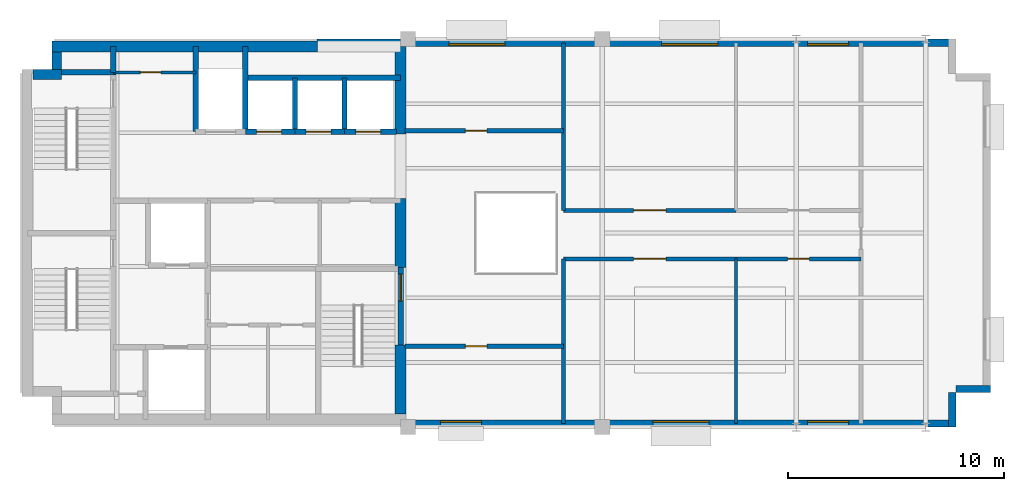
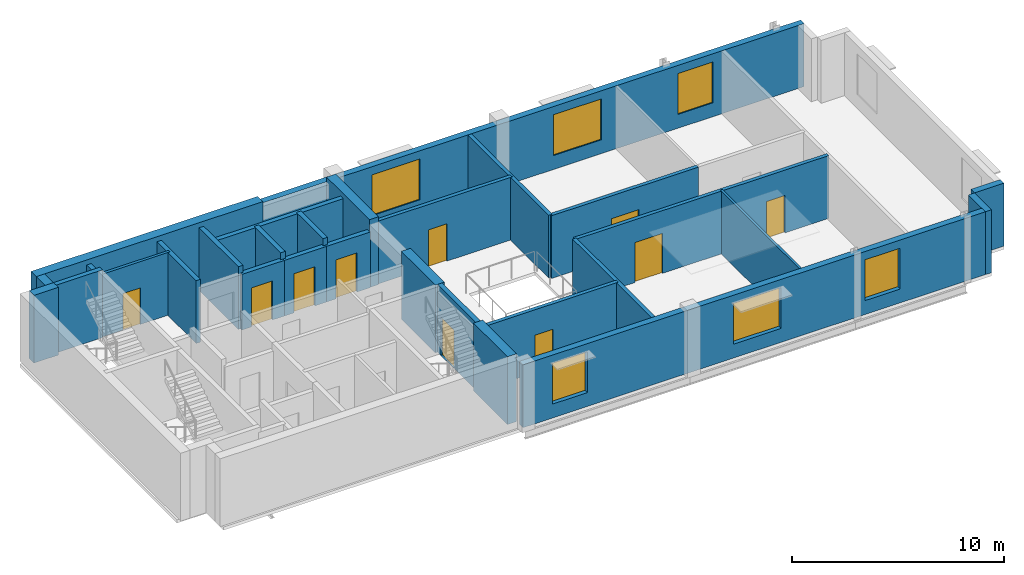
# One storey, part 3 of 5: 30 walls, 10 doors, 6 windows, 16 openings.
"""IFC4 building model written with IfcOpenShell, lengths in metres."""

from ifc_helpers import new_model, si_unit, direction, frame, frame_2d, origin, place, context, subcontext, project, spatial, rectangle, extrude, material, layer, layer_set, type_object, element, fill, save


model = new_model("IFC4")

# Units and contexts
model_context = context("Model", 3, precision=1e-05, world=origin(), true_north=direction((0.0, 1.0)))
body_context = subcontext(model_context, "Body", "Model", "MODEL_VIEW")
ifc_project = project(units=[si_unit("LENGTHUNIT", "METRE"), si_unit("AREAUNIT", "SQUARE_METRE"), si_unit("VOLUMEUNIT", "CUBIC_METRE"), si_unit("PLANEANGLEUNIT", "RADIAN"), si_unit("MASSUNIT", "GRAM", prefix="KILO")], contexts=[model_context])

# Site, building, storey
site_placement = place(None, origin())
site = spatial("IfcSite", under=ifc_project, at=site_placement, CompositionType="ELEMENT")
building_placement = place(site_placement, origin())
building = spatial("IfcBuilding", under=site, at=building_placement, Name="Mawjdan Bourse Tower", CompositionType="ELEMENT")
storey_placement = place(building_placement, frame((0.0, 0.0, 309.300048828125)))
storey = spatial("IfcBuildingStorey", under=building, at=storey_placement, Name="L76", CompositionType="ELEMENT", Elevation=309.300048828125)

# Wall, openings, windows
ifc_material_1 = material(Name="Brick Masonry Buff", Category="masonry")
ifc_layer_1 = layer(ifc_material_1, 0.340087890625)
ifc_layer_set_1 = layer_set([ifc_layer_1], Name="Brick Masonry Buff")
wall_type_1 = type_object("IfcWallType", Name="WL-BRK-SPN-340", PredefinedType="STANDARD", material=ifc_layer_set_1)
wall_1_placement = place(storey_placement, frame((23.89990234375, 3.169921875, 0.0), z_axis=(0.0, 0.0, 1.0), x_axis=(1.0, 0.0, 0.0)))
wall_1 = element("IfcWall", 1, at=wall_1_placement, inside=storey, type_object=wall_type_1, Name="L76 Exterior Brick Wall 1", PredefinedType="STANDARD", context=body_context, shape_type="SweptSolid", body=[
    extrude(rectangle(XDim=25.5, YDim=0.340087890625, at=frame_2d((12.75, 0.0))), origin(), (0.0, 0.0, 1.0), 3.619873046875),
])
opening_1_placement = place(wall_1_placement, frame((1.60009765625, 0.0, 0.800048828125)))
opening_1 = element("IfcOpeningElement", 2, at=opening_1_placement, cuts=wall_1, Name="Opening W-L76-01", PredefinedType="OPENING", context=body_context, shape_type="SweptSolid", body=[
    extrude(rectangle(XDim=1.89990234375, YDim=2.35009765625, at=frame_2d((0.949951171875, 1.175048828125))), frame((0.0, 0.18017578125, 0.0), z_axis=(0.0, -1.0, 0.0), x_axis=(1.0, 0.0, 0.0)), (0.0, 0.0, 1.0), 0.360107421875),
])
opening_2_placement = place(wall_1_placement, frame((11.449951171875, 0.0, 0.800048828125)))
opening_2 = element("IfcOpeningElement", 3, at=opening_2_placement, cuts=wall_1, Name="Opening W-L76-02", PredefinedType="OPENING", context=body_context, shape_type="SweptSolid", body=[
    extrude(rectangle(XDim=2.60009765625, YDim=2.35009765625, at=frame_2d((1.300048828125, 1.175048828125))), frame((0.0, 0.18017578125, 0.0), z_axis=(0.0, -1.0, 0.0), x_axis=(1.0, 0.0, 0.0)), (0.0, 0.0, 1.0), 0.360107421875),
])
opening_3_placement = place(wall_1_placement, frame((18.624755859375, 0.0, 0.800048828125)))
opening_3 = element("IfcOpeningElement", 4, at=opening_3_placement, cuts=wall_1, Name="Opening W-L76-07", PredefinedType="OPENING", context=body_context, shape_type="SweptSolid", body=[
    extrude(rectangle(XDim=1.89990234375, YDim=2.35009765625, at=frame_2d((0.949951171875, 1.175048828125))), frame((0.0, 0.18017578125, 0.0), z_axis=(0.0, -1.0, 0.0), x_axis=(1.0, 0.0, 0.0)), (0.0, 0.0, 1.0), 0.360107421875),
])
ifc_material_2 = material(Name="Solar-Control Clear Double Glazing", Category="glass")
window_type_1 = type_object("IfcWindowType", Name="WN-SMT-1900", PartitioningType="SINGLE_PANEL", PredefinedType="WINDOW", material=ifc_material_2)
window_1_placement = place(opening_1_placement, origin())
window_1 = element("IfcWindow", 5, at=window_1_placement, inside=storey, type_object=window_type_1, Name="L76 Deep-Set Masonry Window W-L76-01", OverallHeight=2.35009765625, OverallWidth=1.89990234375, PartitioningType="SINGLE_PANEL", PredefinedType="WINDOW", context=body_context, shape_type="SweptSolid", body=[
    extrude(rectangle(XDim=1.89990234375, YDim=2.35009765625, at=frame_2d((0.949951171875, 1.175048828125))), frame((0.0, 0.110107421875, 0.0), z_axis=(0.0, -1.0, 0.0), x_axis=(1.0, 0.0, 0.0)), (0.0, 0.0, 1.0), 0.06005859375),
])
fill(opening_1, window_1)
window_2_placement = place(opening_3_placement, origin())
window_2 = element("IfcWindow", 6, at=window_2_placement, inside=storey, type_object=window_type_1, Name="L76 Deep-Set Masonry Window W-L76-07", OverallHeight=2.35009765625, OverallWidth=1.89990234375, PartitioningType="SINGLE_PANEL", PredefinedType="WINDOW", context=body_context, shape_type="SweptSolid", body=[
    extrude(rectangle(XDim=1.89990234375, YDim=2.35009765625, at=frame_2d((0.949951171875, 1.175048828125))), frame((0.0, 0.110107421875, 0.0), z_axis=(0.0, -1.0, 0.0), x_axis=(1.0, 0.0, 0.0)), (0.0, 0.0, 1.0), 0.06005859375),
])
fill(opening_3, window_2)
window_type_2 = type_object("IfcWindowType", Name="WN-SMT-2600", PartitioningType="SINGLE_PANEL", PredefinedType="WINDOW", material=ifc_material_2)
window_3_placement = place(opening_2_placement, origin())
window_3 = element("IfcWindow", 7, at=window_3_placement, inside=storey, type_object=window_type_2, Name="L76 Deep-Set Masonry Window W-L76-02", OverallHeight=2.35009765625, OverallWidth=2.60009765625, PartitioningType="SINGLE_PANEL", PredefinedType="WINDOW", context=body_context, shape_type="SweptSolid", body=[
    extrude(rectangle(XDim=2.60009765625, YDim=2.35009765625, at=frame_2d((1.300048828125, 1.175048828125))), frame((0.0, 0.110107421875, 0.0), z_axis=(0.0, -1.0, 0.0), x_axis=(1.0, 0.0, 0.0)), (0.0, 0.0, 1.0), 0.06005859375),
])
fill(opening_2, window_3)

# Walls
for number, where, z_axis, x_axis, name in (
    (8, (49.22998046875, 3.0, 0.0), (0.0, 0.0, 1.0), (0.0, 1.0, 0.0), "L76 Exterior Brick Wall 2"),
    (9, (49.39990234375, 4.77001953125, 0.0), (0.0, 0.0, 1.0), (1.0, 0.0, 0.0), "L76 Exterior Brick Wall 3"),
):
    element("IfcWall", number, at=place(storey_placement, frame(where, z_axis=z_axis, x_axis=x_axis)), inside=storey, type_object=wall_type_1, Name=name, PredefinedType="STANDARD", context=body_context, shape_type="SweptSolid", body=[
        extrude(rectangle(XDim=1.60009765625, YDim=0.340087890625, at=frame_2d((0.800048828125, 0.0))), origin(), (0.0, 0.0, 1.0), 3.619873046875),
    ])

# Wall, openings, windows
wall_2_placement = place(storey_placement, frame((49.39990234375, 20.830078125, 0.0), z_axis=(0.0, 0.0, 1.0), x_axis=(-1.0, 0.0, 0.0)))
wall_2 = element("IfcWall", 10, at=wall_2_placement, inside=storey, type_object=wall_type_1, Name="L76 Exterior Brick Wall 7", PredefinedType="STANDARD", context=body_context, shape_type="SweptSolid", body=[
    extrude(rectangle(XDim=29.619873046875, YDim=0.340087890625, at=frame_2d((14.81005859375, 0.0))), origin(), (0.0, 0.0, 1.0), 3.619873046875),
])
opening_4_placement = place(wall_2_placement, frame((11.041748046875, 0.0, 0.800048828125)))
opening_4 = element("IfcOpeningElement", 11, at=opening_4_placement, cuts=wall_2, Name="Opening W-L76-05", PredefinedType="OPENING", context=body_context, shape_type="SweptSolid", body=[
    extrude(rectangle(XDim=2.60009765625, YDim=2.35009765625, at=frame_2d((1.300048828125, 1.175048828125))), frame((0.0, 0.18017578125, 0.0), z_axis=(0.0, -1.0, 0.0), x_axis=(1.0, 0.0, 0.0)), (0.0, 0.0, 1.0), 0.360107421875),
])
opening_5_placement = place(wall_2_placement, frame((20.9150390625, 0.0, 0.800048828125)))
opening_5 = element("IfcOpeningElement", 12, at=opening_5_placement, cuts=wall_2, Name="Opening W-L76-06", PredefinedType="OPENING", context=body_context, shape_type="SweptSolid", body=[
    extrude(rectangle(XDim=2.60009765625, YDim=2.35009765625, at=frame_2d((1.300048828125, 1.175048828125))), frame((0.0, 0.18017578125, 0.0), z_axis=(0.0, -1.0, 0.0), x_axis=(1.0, 0.0, 0.0)), (0.0, 0.0, 1.0), 0.360107421875),
])
opening_6_placement = place(wall_2_placement, frame((4.974853515625, 0.0, 0.800048828125)))
opening_6 = element("IfcOpeningElement", 13, at=opening_6_placement, cuts=wall_2, Name="Opening W-L76-08", PredefinedType="OPENING", context=body_context, shape_type="SweptSolid", body=[
    extrude(rectangle(XDim=1.89990234375, YDim=2.35009765625, at=frame_2d((0.949951171875, 1.175048828125))), frame((0.0, 0.18017578125, 0.0), z_axis=(0.0, -1.0, 0.0), x_axis=(1.0, 0.0, 0.0)), (0.0, 0.0, 1.0), 0.360107421875),
])
window_4_placement = place(opening_6_placement, origin())
window_4 = element("IfcWindow", 14, at=window_4_placement, inside=storey, type_object=window_type_1, Name="L76 Deep-Set Masonry Window W-L76-08", OverallHeight=2.35009765625, OverallWidth=1.89990234375, PartitioningType="SINGLE_PANEL", PredefinedType="WINDOW", context=body_context, shape_type="SweptSolid", body=[
    extrude(rectangle(XDim=1.89990234375, YDim=2.35009765625, at=frame_2d((0.949951171875, 1.175048828125))), frame((0.0, 0.110107421875, 0.0), z_axis=(0.0, -1.0, 0.0), x_axis=(1.0, 0.0, 0.0)), (0.0, 0.0, 1.0), 0.06005859375),
])
fill(opening_6, window_4)
window_5_placement = place(opening_4_placement, origin())
window_5 = element("IfcWindow", 15, at=window_5_placement, inside=storey, type_object=window_type_2, Name="L76 Deep-Set Masonry Window W-L76-05", OverallHeight=2.35009765625, OverallWidth=2.60009765625, PartitioningType="SINGLE_PANEL", PredefinedType="WINDOW", context=body_context, shape_type="SweptSolid", body=[
    extrude(rectangle(XDim=2.60009765625, YDim=2.35009765625, at=frame_2d((1.300048828125, 1.175048828125))), frame((0.0, 0.110107421875, 0.0), z_axis=(0.0, -1.0, 0.0), x_axis=(1.0, 0.0, 0.0)), (0.0, 0.0, 1.0), 0.06005859375),
])
fill(opening_4, window_5)
window_6_placement = place(opening_5_placement, origin())
window_6 = element("IfcWindow", 16, at=window_6_placement, inside=storey, type_object=window_type_2, Name="L76 Deep-Set Masonry Window W-L76-06", OverallHeight=2.35009765625, OverallWidth=2.60009765625, PartitioningType="SINGLE_PANEL", PredefinedType="WINDOW", context=body_context, shape_type="SweptSolid", body=[
    extrude(rectangle(XDim=2.60009765625, YDim=2.35009765625, at=frame_2d((1.300048828125, 1.175048828125))), frame((0.0, 0.110107421875, 0.0), z_axis=(0.0, -1.0, 0.0), x_axis=(1.0, 0.0, 0.0)), (0.0, 0.0, 1.0), 0.06005859375),
])
fill(opening_5, window_6)

# Wall, opening, door
ifc_material_3 = material(Name="Gypsum Fireboard Assembly")
ifc_layer_2 = layer(ifc_material_3, 0.199951171875)
ifc_layer_set_2 = layer_set([ifc_layer_2], Name="Gypsum Fireboard Assembly")
wall_type_2 = type_object("IfcWallType", Name="WL-CMP-200", PredefinedType="PARTITIONING", material=ifc_layer_set_2)
wall_3_placement = place(storey_placement, frame((23.85009765625, 6.75, 0.0), z_axis=(0.0, 0.0, 1.0), x_axis=(1.0, 0.0, 0.0)))
wall_3 = element("IfcWall", 17, at=wall_3_placement, inside=storey, type_object=wall_type_2, Name="L76 Summit Throat South Wall", PredefinedType="PARTITIONING", context=body_context, shape_type="SweptSolid", body=[
    extrude(rectangle(XDim=7.349853515625, YDim=0.199951171875, at=frame_2d((3.6748046875, 0.0))), origin(), (0.0, 0.0, 1.0), 3.60986328125),
])
opening_7_placement = place(wall_3_placement, frame((2.800048828125, 0.0, 0.0)))
opening_7 = element("IfcOpeningElement", 18, at=opening_7_placement, cuts=wall_3, Name="Opening D-L76-18", PredefinedType="OPENING", context=body_context, shape_type="SweptSolid", body=[
    extrude(rectangle(XDim=1.0, YDim=2.14990234375, at=frame_2d((0.5, 1.074951171875))), frame((0.0, 0.10986328125, 0.0), z_axis=(0.0, -1.0, 0.0), x_axis=(1.0, 0.0, 0.0)), (0.0, 0.0, 1.0), 0.219970703125),
])
ifc_material_4 = material(Name="Hardwood Acoustic Leaf", Category="wood")
door_type_1 = type_object("IfcDoorType", Name="DR-OFC-1000", OperationType="NOTDEFINED", PredefinedType="DOOR", material=ifc_material_4)
door_1_placement = place(opening_7_placement, origin())
door_1 = element("IfcDoor", 19, at=door_1_placement, inside=storey, type_object=door_type_1, Name="L76 Summit Throat South Room Door D-L76-18", OperationType="SINGLE_SWING_RIGHT", OverallHeight=2.14990234375, OverallWidth=1.0, PredefinedType="DOOR", context=body_context, shape_type="SweptSolid", body=[
    extrude(rectangle(XDim=1.0, YDim=2.14990234375, at=frame_2d((0.5, 1.074951171875))), frame((0.0, 0.02490234375, 0.0), z_axis=(0.0, -1.0, 0.0), x_axis=(1.0, 0.0, 0.0)), (0.0, 0.0, 1.0), 0.050048828125),
])
fill(opening_7, door_1)

# Wall
wall_4_placement = place(storey_placement, frame((31.199951171875, 3.179931640625, 0.0), z_axis=(0.0, 0.0, 1.0), x_axis=(0.0, 1.0, 0.0)))
element("IfcWall", 20, at=wall_4_placement, inside=storey, type_object=wall_type_2, Name="L76 Summit Throat South Return", PredefinedType="PARTITIONING", context=body_context, shape_type="SweptSolid", body=[
    extrude(rectangle(XDim=7.6201171875, YDim=0.199951171875, at=frame_2d((3.81005859375, 0.0))), origin(), (0.0, 0.0, 1.0), 3.60986328125),
])

# Wall, opening, door
wall_5_placement = place(storey_placement, frame((23.85009765625, 16.75, 0.0), z_axis=(0.0, 0.0, 1.0), x_axis=(1.0, 0.0, 0.0)))
wall_5 = element("IfcWall", 21, at=wall_5_placement, inside=storey, type_object=wall_type_2, Name="L76 Summit Throat North Wall", PredefinedType="PARTITIONING", context=body_context, shape_type="SweptSolid", body=[
    extrude(rectangle(XDim=7.349853515625, YDim=0.199951171875, at=frame_2d((3.6748046875, 0.0))), origin(), (0.0, 0.0, 1.0), 3.60986328125),
])
opening_8_placement = place(wall_5_placement, frame((2.800048828125, 0.0, 0.0)))
opening_8 = element("IfcOpeningElement", 22, at=opening_8_placement, cuts=wall_5, Name="Opening D-L76-19", PredefinedType="OPENING", context=body_context, shape_type="SweptSolid", body=[
    extrude(rectangle(XDim=1.0, YDim=2.14990234375, at=frame_2d((0.5, 1.074951171875))), frame((0.0, 0.10986328125, 0.0), z_axis=(0.0, -1.0, 0.0), x_axis=(1.0, 0.0, 0.0)), (0.0, 0.0, 1.0), 0.219970703125),
])
door_2_placement = place(opening_8_placement, origin())
door_2 = element("IfcDoor", 23, at=door_2_placement, inside=storey, type_object=door_type_1, Name="L76 Summit Throat North Room Door D-L76-19", OperationType="SINGLE_SWING_LEFT", OverallHeight=2.14990234375, OverallWidth=1.0, PredefinedType="DOOR", context=body_context, shape_type="SweptSolid", body=[
    extrude(rectangle(XDim=1.0, YDim=2.14990234375, at=frame_2d((0.5, 1.074951171875))), frame((0.0, 0.02490234375, 0.0), z_axis=(0.0, -1.0, 0.0), x_axis=(1.0, 0.0, 0.0)), (0.0, 0.0, 1.0), 0.050048828125),
])
fill(opening_8, door_2)

# Wall
wall_6_placement = place(storey_placement, frame((31.199951171875, 13.050048828125, 0.0), z_axis=(0.0, 0.0, 1.0), x_axis=(0.0, 1.0, 0.0)))
element("IfcWall", 24, at=wall_6_placement, inside=storey, type_object=wall_type_2, Name="L76 Summit Throat North Return", PredefinedType="PARTITIONING", context=body_context, shape_type="SweptSolid", body=[
    extrude(rectangle(XDim=7.77001953125, YDim=0.199951171875, at=frame_2d((3.885009765625, 0.0))), origin(), (0.0, 0.0, 1.0), 3.60986328125),
])

# Wall, opening, door
wall_7_placement = place(storey_placement, frame((31.199951171875, 10.800048828125, 0.0), z_axis=(0.0, 0.0, 1.0), x_axis=(1.0, 0.0, 0.0)))
wall_7 = element("IfcWall", 25, at=wall_7_placement, inside=storey, type_object=wall_type_2, Name="L76 Bourse Grand Summit Boardroom Corridor Wall", PredefinedType="PARTITIONING", context=body_context, shape_type="SweptSolid", body=[
    extrude(rectangle(XDim=8.0, YDim=0.199951171875, at=frame_2d((4.0, 0.0))), origin(), (0.0, 0.0, 1.0), 3.60986328125),
])
opening_9_placement = place(wall_7_placement, frame((3.25, 0.0, 0.0)))
opening_9 = element("IfcOpeningElement", 26, at=opening_9_placement, cuts=wall_7, Name="Opening D-L76-20", PredefinedType="OPENING", context=body_context, shape_type="SweptSolid", body=[
    extrude(rectangle(XDim=1.5, YDim=2.300048828125, at=frame_2d((0.75, 1.14990234375))), frame((0.0, 0.10986328125, 0.0), z_axis=(0.0, -1.0, 0.0), x_axis=(1.0, 0.0, 0.0)), (0.0, 0.0, 1.0), 0.219970703125),
])
ifc_material_5 = material(Name="Acoustic Glazed Timber", Category="wood")
door_type_2 = type_object("IfcDoorType", Name="DR-CNF-1500", OperationType="DOUBLE_DOOR_SINGLE_SWING", PredefinedType="DOOR", material=ifc_material_5)
door_3_placement = place(opening_9_placement, origin())
door_3 = element("IfcDoor", 27, at=door_3_placement, inside=storey, type_object=door_type_2, Name="L76 Bourse Grand Summit Boardroom Door D-L76-20", OperationType="DOUBLE_DOOR_SINGLE_SWING", OverallHeight=2.300048828125, OverallWidth=1.5, PredefinedType="DOOR", context=body_context, shape_type="SweptSolid", body=[
    extrude(rectangle(XDim=1.5, YDim=2.300048828125, at=frame_2d((0.75, 1.14990234375))), frame((0.0, 0.02490234375, 0.0), z_axis=(0.0, -1.0, 0.0), x_axis=(1.0, 0.0, 0.0)), (0.0, 0.0, 1.0), 0.050048828125),
])
fill(opening_9, door_3)

wall_8_placement = place(storey_placement, frame((39.199951171875, 10.800048828125, 0.0), z_axis=(0.0, 0.0, 1.0), x_axis=(1.0, 0.0, 0.0)))
wall_8 = element("IfcWall", 28, at=wall_8_placement, inside=storey, type_object=wall_type_2, Name="L76 Chairman Executive Office Corridor Wall", PredefinedType="PARTITIONING", context=body_context, shape_type="SweptSolid", body=[
    extrude(rectangle(XDim=5.800048828125, YDim=0.199951171875, at=frame_2d((2.89990234375, 0.0))), origin(), (0.0, 0.0, 1.0), 3.60986328125),
])
opening_10_placement = place(wall_8_placement, frame((2.39990234375, 0.0, 0.0)))
opening_10 = element("IfcOpeningElement", 29, at=opening_10_placement, cuts=wall_8, Name="Opening D-L76-21", PredefinedType="OPENING", context=body_context, shape_type="SweptSolid", body=[
    extrude(rectangle(XDim=1.0, YDim=2.14990234375, at=frame_2d((0.5, 1.074951171875))), frame((0.0, 0.10986328125, 0.0), z_axis=(0.0, -1.0, 0.0), x_axis=(1.0, 0.0, 0.0)), (0.0, 0.0, 1.0), 0.219970703125),
])
door_4_placement = place(opening_10_placement, origin())
door_4 = element("IfcDoor", 30, at=door_4_placement, inside=storey, type_object=door_type_1, Name="L76 Chairman Executive Office Door D-L76-21", OperationType="SINGLE_SWING_RIGHT", OverallHeight=2.14990234375, OverallWidth=1.0, PredefinedType="DOOR", context=body_context, shape_type="SweptSolid", body=[
    extrude(rectangle(XDim=1.0, YDim=2.14990234375, at=frame_2d((0.5, 1.074951171875))), frame((0.0, 0.02490234375, 0.0), z_axis=(0.0, -1.0, 0.0), x_axis=(1.0, 0.0, 0.0)), (0.0, 0.0, 1.0), 0.050048828125),
])
fill(opening_10, door_4)

wall_9_placement = place(storey_placement, frame((31.199951171875, 13.050048828125, 0.0), z_axis=(0.0, 0.0, 1.0), x_axis=(1.0, 0.0, 0.0)))
wall_9 = element("IfcWall", 31, at=wall_9_placement, inside=storey, type_object=wall_type_2, Name="L76 Conference Room Corridor Wall", PredefinedType="PARTITIONING", context=body_context, shape_type="SweptSolid", body=[
    extrude(rectangle(XDim=8.0, YDim=0.199951171875, at=frame_2d((4.0, 0.0))), origin(), (0.0, 0.0, 1.0), 3.60986328125),
])
opening_11_placement = place(wall_9_placement, frame((3.25, 0.0, 0.0)))
opening_11 = element("IfcOpeningElement", 32, at=opening_11_placement, cuts=wall_9, Name="Opening D-L76-22", PredefinedType="OPENING", context=body_context, shape_type="SweptSolid", body=[
    extrude(rectangle(XDim=1.5, YDim=2.300048828125, at=frame_2d((0.75, 1.14990234375))), frame((0.0, 0.10986328125, 0.0), z_axis=(0.0, -1.0, 0.0), x_axis=(1.0, 0.0, 0.0)), (0.0, 0.0, 1.0), 0.219970703125),
])
door_5_placement = place(opening_11_placement, origin())
door_5 = element("IfcDoor", 33, at=door_5_placement, inside=storey, type_object=door_type_2, Name="L76 Conference Room Door D-L76-22", OperationType="DOUBLE_DOOR_SINGLE_SWING", OverallHeight=2.300048828125, OverallWidth=1.5, PredefinedType="DOOR", context=body_context, shape_type="SweptSolid", body=[
    extrude(rectangle(XDim=1.5, YDim=2.300048828125, at=frame_2d((0.75, 1.14990234375))), frame((0.0, 0.02490234375, 0.0), z_axis=(0.0, -1.0, 0.0), x_axis=(1.0, 0.0, 0.0)), (0.0, 0.0, 1.0), 0.050048828125),
])
fill(opening_11, door_5)

# Walls
ifc_material_6 = material(Name="Concrete C60/75", Category="concrete")
ifc_layer_3 = layer(ifc_material_6, 0.449951171875)
ifc_layer_set_3 = layer_set([ifc_layer_3], Name="Concrete C60/75")
wall_type_3 = type_object("IfcWallType", Name="WL-CORE-450", PredefinedType="SHEAR", material=ifc_layer_set_3)
wall_10_placement = place(storey_placement, frame((6.60009765625, 19.35009765625, 0.0), z_axis=(0.0, 0.0, 1.0), x_axis=(1.0, 0.0, 0.0)))
element("IfcWall", 34, at=wall_10_placement, inside=storey, type_object=wall_type_3, Name="L76 Rear Core Shear Wall NW-X", PredefinedType="SHEAR", context=body_context, shape_type="SweptSolid", body=[
    extrude(rectangle(XDim=1.324951171875, YDim=0.449951171875, at=frame_2d((0.66259765625, 0.0))), origin(), (0.0, 0.0, 1.0), 3.89990234375),
])
wall_11_placement = place(storey_placement, frame((7.699951171875, 19.574951171875, 0.0), z_axis=(0.0, 0.0, 1.0), x_axis=(0.0, 1.0, 0.0)))
element("IfcWall", 35, at=wall_11_placement, inside=storey, type_object=wall_type_3, Name="L76 Rear Core Shear Wall NW-Y", PredefinedType="SHEAR", context=body_context, shape_type="SweptSolid", body=[
    extrude(rectangle(XDim=0.824951171875, YDim=0.449951171875, at=frame_2d((0.41259765625, 0.0))), origin(), (0.0, 0.0, 1.0), 3.89990234375),
])
ifc_layer_4 = layer(ifc_material_6, 0.5)
ifc_layer_set_4 = layer_set([ifc_layer_4], Name="Concrete C60/75")
wall_type_4 = type_object("IfcWallType", Name="WL-CORE-500", PredefinedType="SHEAR", material=ifc_layer_set_4)
wall_12_placement = place(storey_placement, frame((7.47509765625, 20.64990234375, 0.0), z_axis=(0.0, 0.0, 1.0), x_axis=(1.0, 0.0, 0.0)))
element("IfcWall", 36, at=wall_12_placement, inside=storey, type_object=wall_type_4, Name="L76 Rear Core Shear Wall N", PredefinedType="SHEAR", context=body_context, shape_type="SweptSolid", body=[
    extrude(rectangle(XDim=12.324951171875, YDim=0.5, at=frame_2d((6.16259765625, 0.0))), origin(), (0.0, 0.0, 1.0), 3.89990234375),
])
wall_13_placement = place(storey_placement, frame((23.64990234375, 3.60009765625, 0.0), z_axis=(0.0, 0.0, 1.0), x_axis=(0.0, 1.0, 0.0)))
element("IfcWall", 37, at=wall_13_placement, inside=storey, type_object=wall_type_4, Name="L76 Rear Core Shear Wall E1", PredefinedType="SHEAR", context=body_context, shape_type="SweptSolid", body=[
    extrude(rectangle(XDim=3.199951171875, YDim=0.5, at=frame_2d((1.60009765625, 0.0))), origin(), (0.0, 0.0, 1.0), 3.89990234375),
])
wall_14_placement = place(storey_placement, frame((23.64990234375, 10.39990234375, 0.0), z_axis=(0.0, 0.0, 1.0), x_axis=(0.0, 1.0, 0.0)))
element("IfcWall", 38, at=wall_14_placement, inside=storey, type_object=wall_type_4, Name="L76 Rear Core Shear Wall E2", PredefinedType="SHEAR", context=body_context, shape_type="SweptSolid", body=[
    extrude(rectangle(XDim=3.2001953125, YDim=0.5, at=frame_2d((1.60009765625, 0.0))), origin(), (0.0, 0.0, 1.0), 3.89990234375),
])
wall_15_placement = place(storey_placement, frame((23.64990234375, 16.60009765625, 0.0), z_axis=(0.0, 0.0, 1.0), x_axis=(0.0, 1.0, 0.0)))
element("IfcWall", 39, at=wall_15_placement, inside=storey, type_object=wall_type_4, Name="L76 Rear Core Shear Wall E3", PredefinedType="SHEAR", context=body_context, shape_type="SweptSolid", body=[
    extrude(rectangle(XDim=4.0498046875, YDim=0.5, at=frame_2d((2.02490234375, 0.0))), origin(), (0.0, 0.0, 1.0), 3.89990234375),
])
ifc_material_7 = material(Name="Gypsum Partition")
ifc_layer_5 = layer(ifc_material_7, 0.125)
ifc_layer_set_5 = layer_set([ifc_layer_5], Name="Gypsum Partition")
wall_type_5 = type_object("IfcWallType", Name="WL-PRT-125", PredefinedType="PARTITIONING", material=ifc_layer_set_5)
wall_16_placement = place(storey_placement, frame((39.199951171875, 3.179931640625, 0.0), z_axis=(0.0, 0.0, 1.0), x_axis=(0.0, 1.0, 0.0)))
element("IfcWall", 40, at=wall_16_placement, inside=storey, type_object=wall_type_5, Name="L76 Chairman Executive Office Partition", PredefinedType="PARTITIONING", context=body_context, shape_type="SweptSolid", body=[
    extrude(rectangle(XDim=7.6201171875, YDim=0.125, at=frame_2d((3.81005859375, 0.0))), origin(), (0.0, 0.0, 1.0), 3.60986328125),
])

# Wall, opening, door
ifc_material_8 = material(Name="Gypsum Acoustic Partition")
ifc_layer_6 = layer(ifc_material_8, 0.14990234375)
ifc_layer_set_6 = layer_set([ifc_layer_6], Name="Gypsum Acoustic Partition")
wall_type_6 = type_object("IfcWallType", Name="WL-PRT-150", PredefinedType="PARTITIONING", material=ifc_layer_set_6)
wall_17_placement = place(storey_placement, frame((10.330078125, 19.449951171875, 0.0), z_axis=(0.0, 0.0, 1.0), x_axis=(1.0, 0.0, 0.0)))
wall_17 = element("IfcWall", 41, at=wall_17_placement, inside=storey, type_object=wall_type_6, Name="L76 Housekeeping South Wall", PredefinedType="PARTITIONING", context=body_context, shape_type="SweptSolid", body=[
    extrude(rectangle(XDim=3.81982421875, YDim=0.14990234375, at=frame_2d((1.909912109375, 0.0))), origin(), (0.0, 0.0, 1.0), 3.60986328125),
])
opening_12_placement = place(wall_17_placement, frame((1.25, 0.0, 0.0)))
opening_12 = element("IfcOpeningElement", 42, at=opening_12_placement, cuts=wall_17, Name="Opening D-L76-17", PredefinedType="OPENING", context=body_context, shape_type="SweptSolid", body=[
    extrude(rectangle(XDim=0.949951171875, YDim=2.10009765625, at=frame_2d((0.47509765625, 1.050048828125))), frame((0.0, 0.0849609375, 0.0), z_axis=(0.0, -1.0, 0.0), x_axis=(1.0, 0.0, 0.0)), (0.0, 0.0, 1.0), 0.169921875),
])
ifc_material_9 = material(Name="Moisture-Resistant Laminate Timber", Category="wood")
door_type_3 = type_object("IfcDoorType", Name="DR-WET-0950", OperationType="NOTDEFINED", PredefinedType="DOOR", material=ifc_material_9)
door_6_placement = place(opening_12_placement, origin())
door_6 = element("IfcDoor", 43, at=door_6_placement, inside=storey, type_object=door_type_3, Name="L76 Housekeeping Closet Door D-L76-17", OperationType="SINGLE_SWING_LEFT", OverallHeight=2.10009765625, OverallWidth=0.949951171875, PredefinedType="DOOR", context=body_context, shape_type="SweptSolid", body=[
    extrude(rectangle(XDim=0.949951171875, YDim=2.10009765625, at=frame_2d((0.47509765625, 1.050048828125))), frame((0.0, 0.02490234375, 0.0), z_axis=(0.0, -1.0, 0.0), x_axis=(1.0, 0.0, 0.0)), (0.0, 0.0, 1.0), 0.050048828125),
])
fill(opening_12, door_6)

# Walls
ifc_material_10 = material(Name="Concrete C50/60", Category="concrete")
ifc_layer_7 = layer(ifc_material_10, 0.25)
ifc_layer_set_7 = layer_set([ifc_layer_7], Name="Concrete C50/60")
wall_type_7 = type_object("IfcWallType", Name="WL-SHFT-250", PredefinedType="PARTITIONING", material=ifc_layer_set_7)
wall_18_placement = place(storey_placement, frame((10.330078125, 19.449951171875, 0.0), z_axis=(0.0, 0.0, 1.0), x_axis=(0.0, 1.0, 0.0)))
element("IfcWall", 44, at=wall_18_placement, inside=storey, type_object=wall_type_7, Name="L76 NW Riser East Wall", PredefinedType="PARTITIONING", context=body_context, shape_type="SweptSolid", body=[
    extrude(rectangle(XDim=1.199951171875, YDim=0.25, at=frame_2d((0.60009765625, 0.0))), origin(), (0.0, 0.0, 1.0), 3.60986328125),
])
for number, where, z_axis, x_axis, name in (
    (45, (14.14990234375, 16.699951171875, 0.0), (0.0, 0.0, 1.0), (0.0, 1.0, 0.0), "L76 SVL-01 West Shaft Wall"),
    (46, (16.449951171875, 16.699951171875, 0.0), (0.0, 0.0, 1.0), (0.0, 1.0, 0.0), "L76 SVL-01 East Shaft Wall"),
):
    element("IfcWall", number, at=place(storey_placement, frame(where, z_axis=z_axis, x_axis=x_axis)), inside=storey, type_object=wall_type_7, Name=name, PredefinedType="PARTITIONING", context=body_context, shape_type="SweptSolid", body=[
        extrude(rectangle(XDim=3.949951171875, YDim=0.25, at=frame_2d((1.97509765625, 0.0))), origin(), (0.0, 0.0, 1.0), 3.60986328125),
    ])

# Wall, opening, door
wall_19_placement = place(storey_placement, frame((16.449951171875, 16.699951171875, 0.0), z_axis=(0.0, 0.0, 1.0), x_axis=(1.0, 0.0, 0.0)))
wall_19 = element("IfcWall", 47, at=wall_19_placement, inside=storey, type_object=wall_type_7, Name="L76 PH-01 Front Wall", PredefinedType="PARTITIONING", context=body_context, shape_type="SweptSolid", body=[
    extrude(rectangle(XDim=2.300048828125, YDim=0.25, at=frame_2d((1.14990234375, 0.0))), origin(), (0.0, 0.0, 1.0), 3.202880859375),
])
opening_13_placement = place(wall_19_placement, frame((0.52001953125, 0.0, 0.0)))
opening_13 = element("IfcOpeningElement", 48, at=opening_13_placement, cuts=wall_19, Name="Opening LD-L76-10", PredefinedType="OPENING", context=body_context, shape_type="SweptSolid", body=[
    extrude(rectangle(XDim=1.14990234375, YDim=2.25, at=frame_2d((0.574951171875, 1.125))), frame((0.0, 0.135009765625, 0.0), z_axis=(0.0, -1.0, 0.0), x_axis=(1.0, 0.0, 0.0)), (0.0, 0.0, 1.0), 0.27001953125),
])
ifc_material_11 = material(Name="Brushed Stainless Steel", Category="steel")
door_type_4 = type_object("IfcDoorType", Name="LD-PAS-1150", OperationType="DOUBLE_DOOR_SLIDING", PredefinedType="DOOR", material=ifc_material_11)
door_7_placement = place(opening_13_placement, origin())
door_7 = element("IfcDoor", 49, at=door_7_placement, inside=storey, type_object=door_type_4, Name="L76 Lift PH-01 Landing Door LD-L76-10", OperationType="DOUBLE_DOOR_SLIDING", OverallHeight=2.25, OverallWidth=1.14990234375, PredefinedType="DOOR", context=body_context, shape_type="SweptSolid", body=[
    extrude(rectangle(XDim=1.14990234375, YDim=2.25, at=frame_2d((0.574951171875, 1.125))), frame((0.0, 0.02490234375, 0.0), z_axis=(0.0, -1.0, 0.0), x_axis=(1.0, 0.0, 0.0)), (0.0, 0.0, 1.0), 0.050048828125),
])
fill(opening_13, door_7)

# Wall
wall_20_placement = place(storey_placement, frame((18.75, 16.699951171875, 0.0), z_axis=(0.0, 0.0, 1.0), x_axis=(0.0, 1.0, 0.0)))
element("IfcWall", 50, at=wall_20_placement, inside=storey, type_object=wall_type_7, Name="L76 PH-01 Divider Wall", PredefinedType="PARTITIONING", context=body_context, shape_type="SweptSolid", body=[
    extrude(rectangle(XDim=2.5, YDim=0.25, at=frame_2d((1.25, 0.0))), origin(), (0.0, 0.0, 1.0), 3.60986328125),
])

# Wall, opening, door
wall_21_placement = place(storey_placement, frame((18.75, 16.699951171875, 0.0), z_axis=(0.0, 0.0, 1.0), x_axis=(1.0, 0.0, 0.0)))
wall_21 = element("IfcWall", 51, at=wall_21_placement, inside=storey, type_object=wall_type_7, Name="L76 PH-02 Front Wall", PredefinedType="PARTITIONING", context=body_context, shape_type="SweptSolid", body=[
    extrude(rectangle(XDim=2.300048828125, YDim=0.25, at=frame_2d((1.14990234375, 0.0))), origin(), (0.0, 0.0, 1.0), 3.202880859375),
])
opening_14_placement = place(wall_21_placement, frame((0.52001953125, 0.0, 0.0)))
opening_14 = element("IfcOpeningElement", 52, at=opening_14_placement, cuts=wall_21, Name="Opening LD-L76-11", PredefinedType="OPENING", context=body_context, shape_type="SweptSolid", body=[
    extrude(rectangle(XDim=1.14990234375, YDim=2.25, at=frame_2d((0.574951171875, 1.125))), frame((0.0, 0.135009765625, 0.0), z_axis=(0.0, -1.0, 0.0), x_axis=(1.0, 0.0, 0.0)), (0.0, 0.0, 1.0), 0.27001953125),
])
door_8_placement = place(opening_14_placement, origin())
door_8 = element("IfcDoor", 53, at=door_8_placement, inside=storey, type_object=door_type_4, Name="L76 Lift PH-02 Landing Door LD-L76-11", OperationType="DOUBLE_DOOR_SLIDING", OverallHeight=2.25, OverallWidth=1.14990234375, PredefinedType="DOOR", context=body_context, shape_type="SweptSolid", body=[
    extrude(rectangle(XDim=1.14990234375, YDim=2.25, at=frame_2d((0.574951171875, 1.125))), frame((0.0, 0.02490234375, 0.0), z_axis=(0.0, -1.0, 0.0), x_axis=(1.0, 0.0, 0.0)), (0.0, 0.0, 1.0), 0.050048828125),
])
fill(opening_14, door_8)

# Wall
wall_22_placement = place(storey_placement, frame((21.050048828125, 16.699951171875, 0.0), z_axis=(0.0, 0.0, 1.0), x_axis=(0.0, 1.0, 0.0)))
element("IfcWall", 54, at=wall_22_placement, inside=storey, type_object=wall_type_7, Name="L76 PH-02 Divider Wall", PredefinedType="PARTITIONING", context=body_context, shape_type="SweptSolid", body=[
    extrude(rectangle(XDim=2.5, YDim=0.25, at=frame_2d((1.25, 0.0))), origin(), (0.0, 0.0, 1.0), 3.60986328125),
])

# Wall, opening, door
wall_23_placement = place(storey_placement, frame((21.050048828125, 16.699951171875, 0.0), z_axis=(0.0, 0.0, 1.0), x_axis=(1.0, 0.0, 0.0)))
wall_23 = element("IfcWall", 55, at=wall_23_placement, inside=storey, type_object=wall_type_7, Name="L76 PH-03 Front Wall", PredefinedType="PARTITIONING", context=body_context, shape_type="SweptSolid", body=[
    extrude(rectangle(XDim=2.39990234375, YDim=0.25, at=frame_2d((1.199951171875, 0.0))), origin(), (0.0, 0.0, 1.0), 3.202880859375),
])
opening_15_placement = place(wall_23_placement, frame((0.52001953125, 0.0, 0.0)))
opening_15 = element("IfcOpeningElement", 56, at=opening_15_placement, cuts=wall_23, Name="Opening LD-L76-12", PredefinedType="OPENING", context=body_context, shape_type="SweptSolid", body=[
    extrude(rectangle(XDim=1.14990234375, YDim=2.25, at=frame_2d((0.574951171875, 1.125))), frame((0.0, 0.135009765625, 0.0), z_axis=(0.0, -1.0, 0.0), x_axis=(1.0, 0.0, 0.0)), (0.0, 0.0, 1.0), 0.27001953125),
])
door_9_placement = place(opening_15_placement, origin())
door_9 = element("IfcDoor", 57, at=door_9_placement, inside=storey, type_object=door_type_4, Name="L76 Lift PH-03 Landing Door LD-L76-12", OperationType="DOUBLE_DOOR_SLIDING", OverallHeight=2.25, OverallWidth=1.14990234375, PredefinedType="DOOR", context=body_context, shape_type="SweptSolid", body=[
    extrude(rectangle(XDim=1.14990234375, YDim=2.25, at=frame_2d((0.574951171875, 1.125))), frame((0.0, 0.02490234375, 0.0), z_axis=(0.0, -1.0, 0.0), x_axis=(1.0, 0.0, 0.0)), (0.0, 0.0, 1.0), 0.050048828125),
])
fill(opening_15, door_9)

# Walls
wall_24_placement = place(storey_placement, frame((16.449951171875, 19.199951171875, 0.0), z_axis=(0.0, 0.0, 1.0), x_axis=(1.0, 0.0, 0.0)))
element("IfcWall", 58, at=wall_24_placement, inside=storey, type_object=wall_type_7, Name="L76 PH Bank North Shaft Back Wall", PredefinedType="PARTITIONING", context=body_context, shape_type="SweptSolid", body=[
    extrude(rectangle(XDim=7.199951171875, YDim=0.25, at=frame_2d((3.60009765625, 0.0))), origin(), (0.0, 0.0, 1.0), 3.60986328125),
])
ifc_layer_8 = layer(ifc_material_10, 0.25)
ifc_layer_set_8 = layer_set([ifc_layer_8], Name="Concrete C50/60")
wall_type_8 = type_object("IfcWallType", Name="WL-STRW-250", PredefinedType="SHEAR", material=ifc_layer_set_8)
wall_25_placement = place(storey_placement, frame((7.699951171875, 19.449951171875, 0.0), z_axis=(0.0, 0.0, 1.0), x_axis=(1.0, 0.0, 0.0)))
element("IfcWall", 59, at=wall_25_placement, inside=storey, type_object=wall_type_8, Name="L76 Stairwell ST2 North Shaft Wall", PredefinedType="SHEAR", context=body_context, shape_type="SweptSolid", body=[
    extrude(rectangle(XDim=2.755126953125, YDim=0.25, at=frame_2d((1.37744140625, 0.0))), origin(), (0.0, 0.0, 1.0), 3.89990234375),
])

# Wall, opening, door
wall_26_placement = place(storey_placement, frame((23.64990234375, 6.800048828125, 0.0), z_axis=(0.0, 0.0, 1.0), x_axis=(0.0, 1.0, 0.0)))
wall_26 = element("IfcWall", 60, at=wall_26_placement, inside=storey, type_object=wall_type_8, Name="L76 ST7 East Shaft Wall", PredefinedType="SHEAR", context=body_context, shape_type="SweptSolid", body=[
    extrude(rectangle(XDim=3.599853515625, YDim=0.25, at=frame_2d((1.7998046875, 0.0))), origin(), (0.0, 0.0, 1.0), 3.89990234375),
])
opening_16_placement = place(wall_26_placement, frame((2.0400390625, 0.0, 0.0)))
opening_16 = element("IfcOpeningElement", 61, at=opening_16_placement, cuts=wall_26, Name="Opening SD-L76-25", PredefinedType="OPENING", context=body_context, shape_type="SweptSolid", body=[
    extrude(rectangle(XDim=1.25, YDim=2.199951171875, at=frame_2d((0.625, 1.10009765625))), frame((0.0, 0.135009765625, 0.0), z_axis=(0.0, -1.0, 0.0), x_axis=(1.0, 0.0, 0.0)), (0.0, 0.0, 1.0), 0.27001953125),
])
ifc_material_12 = material(Name="Fire-Rated Steel Leaf", Category="steel")
door_type_5 = type_object("IfcDoorType", Name="FD-ST-1250", OperationType="NOTDEFINED", PredefinedType="DOOR", material=ifc_material_12)
door_10_placement = place(opening_16_placement, origin())
door_10 = element("IfcDoor", 62, at=door_10_placement, inside=storey, type_object=door_type_5, Name="L76 Stair ST7 Fire Door SD-L76-25", OperationType="SINGLE_SWING_LEFT", OverallHeight=2.199951171875, OverallWidth=1.25, PredefinedType="DOOR", context=body_context, shape_type="SweptSolid", body=[
    extrude(rectangle(XDim=1.25, YDim=2.199951171875, at=frame_2d((0.625, 1.10009765625))), frame((0.0, 0.02490234375, 0.0), z_axis=(0.0, -1.0, 0.0), x_axis=(1.0, 0.0, 0.0)), (0.0, 0.0, 1.0), 0.050048828125),
])
fill(opening_16, door_10)

save(model, "model.ifc")
